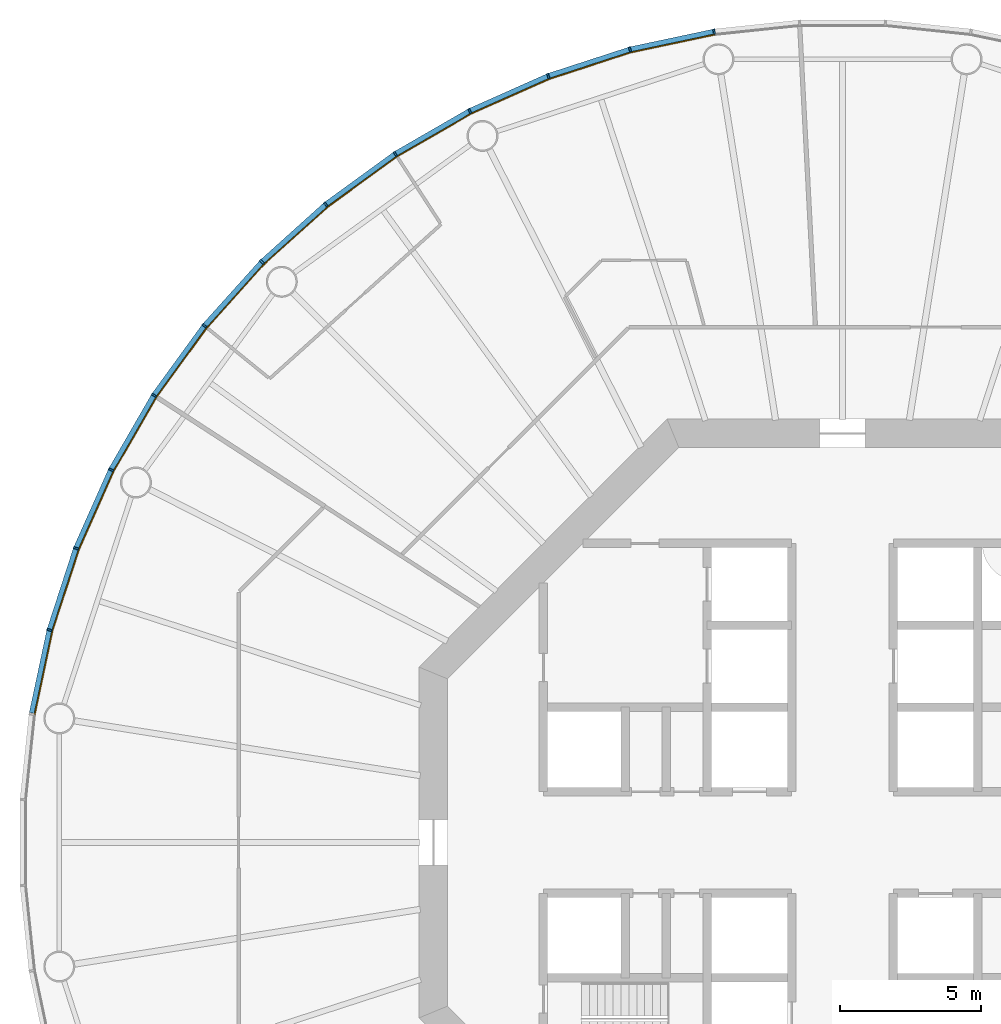
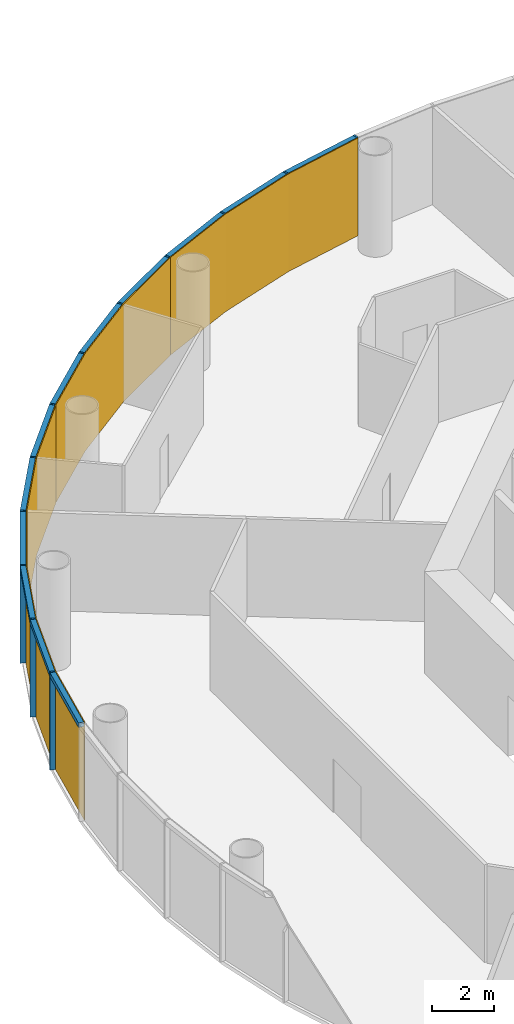
# One storey, part 10 of 13: 24 members, 4 curtain walls.
"""IFC4 building model written with IfcOpenShell, lengths in metres."""

from ifc_helpers import new_model, si_unit, direction, frame, origin, origin_2d, place, context, subcontext, project, spatial, polyline, rectangle, outline, extrude, material, layer, layer_set, material_profile, profile_set, type_object, element, aggregate, save


model = new_model("IFC4")

# Units and contexts
model_context = context("Model", 3, precision=1e-05, world=origin(), true_north=direction((0.0, 1.0)))
body_context = subcontext(model_context, "Body", "Model", "MODEL_VIEW")
ifc_project = project(units=[si_unit("LENGTHUNIT", "METRE"), si_unit("AREAUNIT", "SQUARE_METRE"), si_unit("VOLUMEUNIT", "CUBIC_METRE"), si_unit("PLANEANGLEUNIT", "RADIAN"), si_unit("MASSUNIT", "GRAM", prefix="KILO")], contexts=[model_context])

# Member
ifc_material_1 = material(Name="Anodised aluminium", Category="aluminium")
ifc_material_profile_1 = material_profile(ifc_material_1, rectangle(XDim=0.06494140625, YDim=0.18505859375, at=origin_2d()), Name="Mullion 65 x 185 mm anodised aluminium")
ifc_profile_set_1 = profile_set([ifc_material_profile_1], Name="Anodised aluminium")
member_type_1 = type_object("IfcMemberType", Name="Mullion 65 x 185 mm anodised aluminium", PredefinedType="MULLION", material=ifc_profile_set_1)
site_placement = place(None, origin())
building_placement = place(site_placement, origin())
storey_placement = place(building_placement, frame((0.0, 0.0, 188.0)))
member_1_placement = place(storey_placement, frame((85.448974609375, 108.734375, 0.0), z_axis=(0.0, 0.0, 1.0), x_axis=(-0.987688340595, -0.15643446504, 0.0)))
member_1 = element("IfcMember", 1, at=member_1_placement, type_object=member_type_1, Name="MULLION L43-15", PredefinedType="MULLION", context=body_context, shape_type="SweptSolid", body=[
    extrude(rectangle(XDim=0.06494140625, YDim=0.18505859375, at=origin_2d()), origin(), (0.0, 0.0, 1.0), 3.85009765625),
])

member_2_placement = place(storey_placement, frame((82.47021484375, 108.101318359375, 0.0), z_axis=(0.0, 0.0, 1.0), x_axis=(-0.965925826289, -0.258819045103, 0.0)))
member_2 = element("IfcMember", 2, at=member_2_placement, type_object=member_type_1, Name="MULLION L43-16", PredefinedType="MULLION", context=body_context, shape_type="SweptSolid", body=[
    extrude(rectangle(XDim=0.06494140625, YDim=0.18505859375, at=origin_2d()), origin(), (0.0, 0.0, 1.0), 3.85009765625),
])

member_3_placement = place(storey_placement, frame((79.57421875, 107.16015625, 0.0), z_axis=(0.0, 0.0, 1.0), x_axis=(-0.933580426497, -0.358367949545, 0.0)))
member_3 = element("IfcMember", 3, at=member_3_placement, type_object=member_type_1, Name="MULLION L43-17", PredefinedType="MULLION", context=body_context, shape_type="SweptSolid", body=[
    extrude(rectangle(XDim=0.06494140625, YDim=0.18505859375, at=origin_2d()), origin(), (0.0, 0.0, 1.0), 3.85009765625),
])

member_4_placement = place(storey_placement, frame((76.792236328125, 105.921630859375, 0.0), z_axis=(0.0, 0.0, 1.0), x_axis=(-0.891006524188, -0.45399049974, 0.0)))
member_4 = element("IfcMember", 4, at=member_4_placement, type_object=member_type_1, Name="MULLION L43-18", PredefinedType="MULLION", context=body_context, shape_type="SweptSolid", body=[
    extrude(rectangle(XDim=0.06494140625, YDim=0.18505859375, at=origin_2d()), origin(), (0.0, 0.0, 1.0), 3.85009765625),
])

member_5_placement = place(storey_placement, frame((74.155029296875, 104.39892578125, 0.0), z_axis=(0.0, 0.0, 1.0), x_axis=(-0.838670567945, -0.544639035015, 0.0)))
member_5 = element("IfcMember", 5, at=member_5_placement, type_object=member_type_1, Name="MULLION L43-19", PredefinedType="MULLION", context=body_context, shape_type="SweptSolid", body=[
    extrude(rectangle(XDim=0.06494140625, YDim=0.18505859375, at=origin_2d()), origin(), (0.0, 0.0, 1.0), 3.85009765625),
])

member_6_placement = place(storey_placement, frame((71.69140625, 102.609130859375, 0.0), z_axis=(0.0, 0.0, 1.0), x_axis=(-0.777145961457, -0.62932039105, 0.0)))
member_6 = element("IfcMember", 6, at=member_6_placement, type_object=member_type_1, Name="MULLION L43-20", PredefinedType="MULLION", context=body_context, shape_type="SweptSolid", body=[
    extrude(rectangle(XDim=0.06494140625, YDim=0.18505859375, at=origin_2d()), origin(), (0.0, 0.0, 1.0), 3.85009765625),
])

member_7_placement = place(storey_placement, frame((69.428466796875, 100.571533203125, 0.0), z_axis=(0.0, 0.0, 1.0), x_axis=(-0.707106781187, -0.707106781187, 0.0)))
member_7 = element("IfcMember", 7, at=member_7_placement, type_object=member_type_1, Name="MULLION L43-21", PredefinedType="MULLION", context=body_context, shape_type="SweptSolid", body=[
    extrude(rectangle(XDim=0.06494140625, YDim=0.18505859375, at=origin_2d()), origin(), (0.0, 0.0, 1.0), 3.85009765625),
])

member_8_placement = place(storey_placement, frame((67.390869140625, 98.30859375, 0.0), z_axis=(0.0, 0.0, 1.0), x_axis=(-0.62932039105, -0.777145961457, 0.0)))
member_8 = element("IfcMember", 8, at=member_8_placement, type_object=member_type_1, Name="MULLION L43-22", PredefinedType="MULLION", context=body_context, shape_type="SweptSolid", body=[
    extrude(rectangle(XDim=0.06494140625, YDim=0.18505859375, at=origin_2d()), origin(), (0.0, 0.0, 1.0), 3.85009765625),
])

member_9_placement = place(storey_placement, frame((65.60107421875, 95.844970703125, 0.0), z_axis=(0.0, 0.0, 1.0), x_axis=(-0.544639035015, -0.838670567945, 0.0)))
member_9 = element("IfcMember", 9, at=member_9_placement, type_object=member_type_1, Name="MULLION L43-23", PredefinedType="MULLION", context=body_context, shape_type="SweptSolid", body=[
    extrude(rectangle(XDim=0.06494140625, YDim=0.18505859375, at=origin_2d()), origin(), (0.0, 0.0, 1.0), 3.85009765625),
])

member_10_placement = place(storey_placement, frame((64.078369140625, 93.207763671875, 0.0), z_axis=(0.0, 0.0, 1.0), x_axis=(-0.45399049974, -0.891006524188, 0.0)))
member_10 = element("IfcMember", 10, at=member_10_placement, type_object=member_type_1, Name="MULLION L43-24", PredefinedType="MULLION", context=body_context, shape_type="SweptSolid", body=[
    extrude(rectangle(XDim=0.06494140625, YDim=0.18505859375, at=origin_2d()), origin(), (0.0, 0.0, 1.0), 3.85009765625),
])

member_11_placement = place(storey_placement, frame((62.83984375, 90.42578125, 0.0), z_axis=(0.0, 0.0, 1.0), x_axis=(-0.358367949545, -0.933580426497, 0.0)))
member_11 = element("IfcMember", 11, at=member_11_placement, type_object=member_type_1, Name="MULLION L43-25", PredefinedType="MULLION", context=body_context, shape_type="SweptSolid", body=[
    extrude(rectangle(XDim=0.06494140625, YDim=0.18505859375, at=origin_2d()), origin(), (0.0, 0.0, 1.0), 3.85009765625),
])

member_12_placement = place(storey_placement, frame((61.898681640625, 87.52978515625, 0.0), z_axis=(0.0, 0.0, 1.0), x_axis=(-0.258819045103, -0.965925826289, 0.0)))
member_12 = element("IfcMember", 12, at=member_12_placement, type_object=member_type_1, Name="MULLION L43-26", PredefinedType="MULLION", context=body_context, shape_type="SweptSolid", body=[
    extrude(rectangle(XDim=0.06494140625, YDim=0.18505859375, at=origin_2d()), origin(), (0.0, 0.0, 1.0), 3.85009765625),
])

ifc_material_2 = material(Name="Anodised aluminium", Category="aluminium")
ifc_material_profile_2 = material_profile(ifc_material_2, rectangle(XDim=0.18505859375, YDim=0.175048828125, at=origin_2d()), Name="Transom 175 x 185 mm anodised aluminium")
ifc_profile_set_2 = profile_set([ifc_material_profile_2], Name="Anodised aluminium")
member_type_2 = type_object("IfcMemberType", Name="Transom 175 x 185 mm anodised aluminium", PredefinedType="USERDEFINED", material=ifc_profile_set_2)
member_13_placement = place(storey_placement, frame((85.412353515625, 108.7265625, 3.762451171875), z_axis=(-0.97815822425, -0.207861704825, 0.0), x_axis=(0.207861704825, -0.97815822425, 0.0)))
member_13 = element("IfcMember", 13, at=member_13_placement, type_object=member_type_2, Name="TRANSOM L43-15", ObjectType="TRANSOM", PredefinedType="USERDEFINED", context=body_context, shape_type="SweptSolid", body=[
    extrude(rectangle(XDim=0.18505859375, YDim=0.175048828125, at=origin_2d()), origin(), (0.0, 0.0, 1.0), 2.970458984375),
])

member_14_placement = place(storey_placement, frame((82.434814453125, 108.08984375, 3.762451171875), z_axis=(-0.951055809184, -0.30901917063, 0.0), x_axis=(0.30901917063, -0.951055809184, 0.0)))
member_14 = element("IfcMember", 14, at=member_14_placement, type_object=member_type_2, Name="TRANSOM L43-16", ObjectType="TRANSOM", PredefinedType="USERDEFINED", context=body_context, shape_type="SweptSolid", body=[
    extrude(rectangle(XDim=0.18505859375, YDim=0.175048828125, at=origin_2d()), origin(), (0.0, 0.0, 1.0), 2.970703125),
])

member_15_placement = place(storey_placement, frame((79.5400390625, 107.14501953125, 3.762451171875), z_axis=(-0.913567348806, -0.406687471156, 0.0), x_axis=(0.406687471156, -0.913567348806, 0.0)))
member_15 = element("IfcMember", 15, at=member_15_placement, type_object=member_type_2, Name="TRANSOM L43-17", ObjectType="TRANSOM", PredefinedType="USERDEFINED", context=body_context, shape_type="SweptSolid", body=[
    extrude(rectangle(XDim=0.18505859375, YDim=0.175048828125, at=origin_2d()), origin(), (0.0, 0.0, 1.0), 2.970458984375),
])

member_16_placement = place(storey_placement, frame((76.759765625, 105.903076171875, 3.762451171875), z_axis=(-0.866009025146, -0.500028367561, 0.0), x_axis=(0.500028367561, -0.866009025146, 0.0)))
member_16 = element("IfcMember", 16, at=member_16_placement, type_object=member_type_2, Name="TRANSOM L43-18", ObjectType="TRANSOM", PredefinedType="USERDEFINED", context=body_context, shape_type="SweptSolid", body=[
    extrude(rectangle(XDim=0.18505859375, YDim=0.175048828125, at=origin_2d()), origin(), (0.0, 0.0, 1.0), 2.970458984375),
])

member_17_placement = place(storey_placement, frame((74.124755859375, 104.377197265625, 3.762451171875), z_axis=(-0.808991906087, -0.587819781808, 0.0), x_axis=(0.587819781808, -0.808991906087, 0.0)))
member_17 = element("IfcMember", 17, at=member_17_placement, type_object=member_type_2, Name="TRANSOM L43-19", ObjectType="TRANSOM", PredefinedType="USERDEFINED", context=body_context, shape_type="SweptSolid", body=[
    extrude(rectangle(XDim=0.18505859375, YDim=0.175048828125, at=origin_2d()), origin(), (0.0, 0.0, 1.0), 2.970458984375),
])

member_18_placement = place(storey_placement, frame((71.66357421875, 102.584228515625, 3.762451171875), z_axis=(-0.743163354343, -0.669110027395, 0.0), x_axis=(0.669110027395, -0.743163354343, 0.0)))
member_18 = element("IfcMember", 18, at=member_18_placement, type_object=member_type_2, Name="TRANSOM L43-20", ObjectType="TRANSOM", PredefinedType="USERDEFINED", context=body_context, shape_type="SweptSolid", body=[
    extrude(rectangle(XDim=0.18505859375, YDim=0.175048828125, at=origin_2d()), origin(), (0.0, 0.0, 1.0), 2.970458984375),
])

member_19_placement = place(storey_placement, frame((69.4033203125, 100.5439453125, 3.762451171875), z_axis=(-0.669110027395, -0.743163354343, 0.0), x_axis=(0.743163354343, -0.669110027395, 0.0)))
member_19 = element("IfcMember", 19, at=member_19_placement, type_object=member_type_2, Name="TRANSOM L43-21", ObjectType="TRANSOM", PredefinedType="USERDEFINED", context=body_context, shape_type="SweptSolid", body=[
    extrude(rectangle(XDim=0.18505859375, YDim=0.175048828125, at=origin_2d()), origin(), (0.0, 0.0, 1.0), 2.970458984375),
])

member_20_placement = place(storey_placement, frame((67.368896484375, 98.2783203125, 3.762451171875), z_axis=(-0.587819781808, -0.808991906087, 0.0), x_axis=(0.808991906087, -0.587819781808, 0.0)))
member_20 = element("IfcMember", 20, at=member_20_placement, type_object=member_type_2, Name="TRANSOM L43-22", ObjectType="TRANSOM", PredefinedType="USERDEFINED", context=body_context, shape_type="SweptSolid", body=[
    extrude(rectangle(XDim=0.18505859375, YDim=0.175048828125, at=origin_2d()), origin(), (0.0, 0.0, 1.0), 2.970458984375),
])

member_21_placement = place(storey_placement, frame((65.582275390625, 95.812744140625, 3.762451171875), z_axis=(-0.500028367561, -0.866009025146, 0.0), x_axis=(0.866009025146, -0.500028367561, 0.0)))
member_21 = element("IfcMember", 21, at=member_21_placement, type_object=member_type_2, Name="TRANSOM L43-23", ObjectType="TRANSOM", PredefinedType="USERDEFINED", context=body_context, shape_type="SweptSolid", body=[
    extrude(rectangle(XDim=0.18505859375, YDim=0.175048828125, at=origin_2d()), origin(), (0.0, 0.0, 1.0), 2.970458984375),
])

member_22_placement = place(storey_placement, frame((64.06298828125, 93.173583984375, 3.762451171875), z_axis=(-0.406687471156, -0.913567348806, 0.0), x_axis=(0.913567348806, -0.406687471156, 0.0)))
member_22 = element("IfcMember", 22, at=member_22_placement, type_object=member_type_2, Name="TRANSOM L43-24", ObjectType="TRANSOM", PredefinedType="USERDEFINED", context=body_context, shape_type="SweptSolid", body=[
    extrude(rectangle(XDim=0.18505859375, YDim=0.175048828125, at=origin_2d()), origin(), (0.0, 0.0, 1.0), 2.970458984375),
])

member_23_placement = place(storey_placement, frame((62.828125, 90.390380859375, 3.762451171875), z_axis=(-0.30901917063, -0.951055809184, 0.0), x_axis=(0.951055809184, -0.30901917063, 0.0)))
member_23 = element("IfcMember", 23, at=member_23_placement, type_object=member_type_2, Name="TRANSOM L43-25", ObjectType="TRANSOM", PredefinedType="USERDEFINED", context=body_context, shape_type="SweptSolid", body=[
    extrude(rectangle(XDim=0.18505859375, YDim=0.175048828125, at=origin_2d()), origin(), (0.0, 0.0, 1.0), 2.970703125),
])

member_24_placement = place(storey_placement, frame((61.890869140625, 87.4931640625, 3.762451171875), z_axis=(-0.207861704825, -0.97815822425, 0.0), x_axis=(0.97815822425, -0.207861704825, 0.0)))
member_24 = element("IfcMember", 24, at=member_24_placement, type_object=member_type_2, Name="TRANSOM L43-26", ObjectType="TRANSOM", PredefinedType="USERDEFINED", context=body_context, shape_type="SweptSolid", body=[
    extrude(rectangle(XDim=0.18505859375, YDim=0.175048828125, at=origin_2d()), origin(), (0.0, 0.0, 1.0), 2.970458984375),
])

# Site, building, storey
site = spatial("IfcSite", under=ifc_project, at=site_placement, CompositionType="ELEMENT")
building = spatial("IfcBuilding", under=site, at=building_placement, Name="Entoto Ring Tower", CompositionType="ELEMENT")
storey = spatial("IfcBuildingStorey", under=building, at=storey_placement, Name="L43", CompositionType="ELEMENT", Elevation=188.0)

# Curtain wall
ifc_material_3 = material(Name="Clear low-iron glass", Category="glass")
ifc_layer = layer(ifc_material_3, 0.033935546875)
ifc_layer_set = layer_set([ifc_layer], Name="Clear low-iron glass")
curtain_wall_type = type_object("IfcCurtainWallType", Name="Curtain wall system CW3 glazing 34 mm", PredefinedType="NOTDEFINED", material=ifc_layer_set)
curtain_wall_1_placement = place(storey_placement, origin())
curtain_wall_1 = element("IfcCurtainWall", 25, at=curtain_wall_1_placement, inside=storey, type_object=curtain_wall_type, Name="CW3 L43-06", PredefinedType="NOTDEFINED", context=body_context, shape_type="SweptSolid", body=[
    extrude(outline(polyline([(85.46337890625, 108.64306640625), (82.494140625, 108.011962890625), (79.607421875, 107.07373046875), (76.834228515625, 105.839111328125), (76.849853515625, 105.808837890625), (79.61962890625, 107.0419921875), (82.503173828125, 107.97900390625), (85.46875, 108.609375), (85.46337890625, 108.64306640625)])), origin(), (0.0, 0.0, 1.0), 3.85009765625),
])

aggregate(curtain_wall_1, [member_1, member_2, member_3, member_13, member_14, member_15])

curtain_wall_2_placement = place(storey_placement, origin())
curtain_wall_2 = element("IfcCurtainWall", 26, at=curtain_wall_2_placement, inside=storey, type_object=curtain_wall_type, Name="CW3 L43-07", PredefinedType="NOTDEFINED", context=body_context, shape_type="SweptSolid", body=[
    extrude(outline(polyline([(76.834228515625, 105.839111328125), (74.20556640625, 104.321533203125), (71.749755859375, 102.537353515625), (69.493896484375, 100.506103515625), (69.51806640625, 100.48193359375), (71.771240234375, 102.5107421875), (74.22412109375, 104.29296875), (76.849853515625, 105.808837890625), (76.834228515625, 105.839111328125)])), origin(), (0.0, 0.0, 1.0), 3.85009765625),
])

aggregate(curtain_wall_2, [member_4, member_5, member_6, member_16, member_17, member_18])

curtain_wall_3_placement = place(storey_placement, origin())
curtain_wall_3 = element("IfcCurtainWall", 27, at=curtain_wall_3_placement, inside=storey, type_object=curtain_wall_type, Name="CW3 L43-08", PredefinedType="NOTDEFINED", context=body_context, shape_type="SweptSolid", body=[
    extrude(outline(polyline([(69.493896484375, 100.506103515625), (67.462646484375, 98.250244140625), (65.678466796875, 95.79443359375), (64.160888671875, 93.165771484375), (64.191162109375, 93.150146484375), (65.70703125, 95.77587890625), (67.4892578125, 98.228759765625), (69.51806640625, 100.48193359375), (69.493896484375, 100.506103515625)])), origin(), (0.0, 0.0, 1.0), 3.85009765625),
])

aggregate(curtain_wall_3, [member_7, member_8, member_9, member_19, member_20, member_21])

curtain_wall_4_placement = place(storey_placement, origin())
curtain_wall_4 = element("IfcCurtainWall", 28, at=curtain_wall_4_placement, inside=storey, type_object=curtain_wall_type, Name="CW3 L43-09", PredefinedType="NOTDEFINED", context=body_context, shape_type="SweptSolid", body=[
    extrude(outline(polyline([(64.160888671875, 93.165771484375), (62.92626953125, 90.392578125), (61.988037109375, 87.505859375), (61.35693359375, 84.53662109375), (61.390625, 84.53125), (62.02099609375, 87.496826171875), (62.9580078125, 90.38037109375), (64.191162109375, 93.150146484375), (64.160888671875, 93.165771484375)])), origin(), (0.0, 0.0, 1.0), 3.85009765625),
])

aggregate(curtain_wall_4, [member_10, member_11, member_12, member_22, member_23, member_24])

save(model, "model.ifc")
